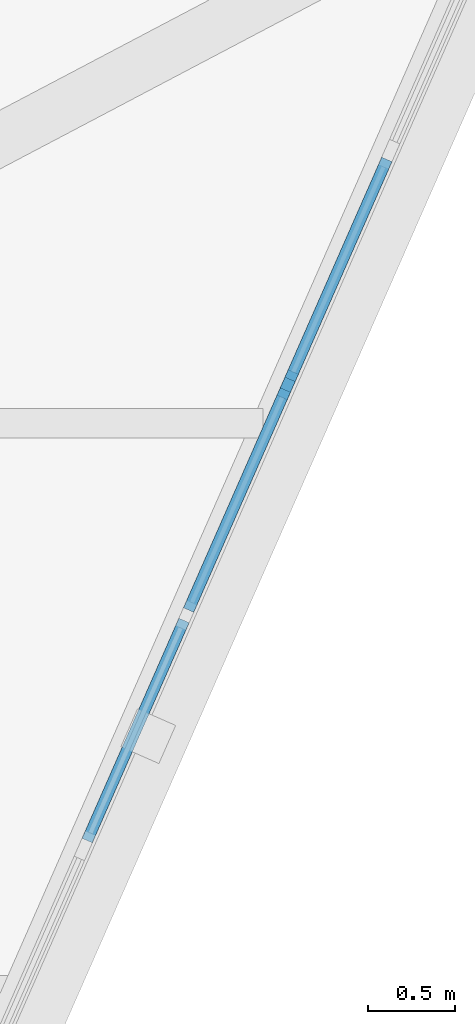
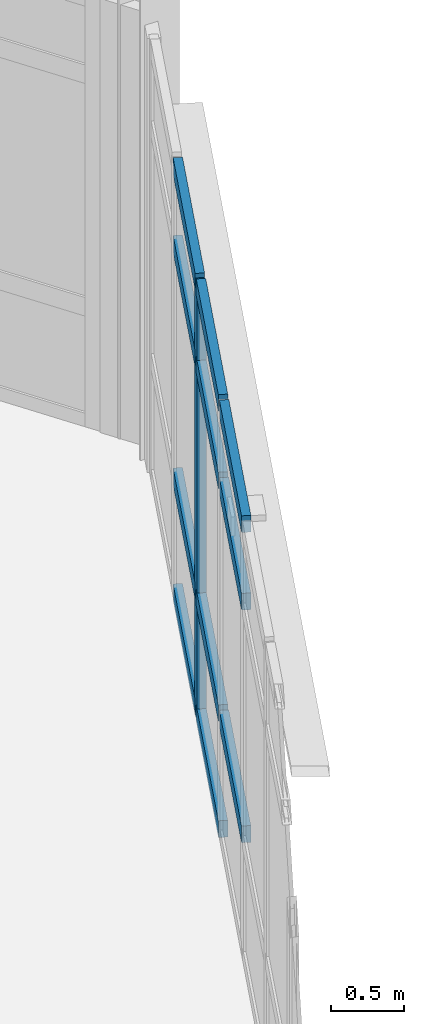
# One storey, part 71 of 134: 12 members, 1 element without a shape of its own.
"""IFC4 building model written with IfcOpenShell, lengths in metres."""

from ifc_helpers import new_model, si_unit, direction, frame, origin, origin_2d, place, context, subcontext, project, spatial, rectangle, extrude, material, material_profile, profile_set, type_object, element, aggregate, save


model = new_model("IFC4")

# Units and contexts
model_context = context("Model", 3, precision=1e-05, world=origin(), true_north=direction((0.0, 1.0)))
body_context = subcontext(model_context, "Body", "Model", "MODEL_VIEW")
ifc_project = project(units=[si_unit("LENGTHUNIT", "METRE"), si_unit("AREAUNIT", "SQUARE_METRE"), si_unit("VOLUMEUNIT", "CUBIC_METRE"), si_unit("PLANEANGLEUNIT", "RADIAN"), si_unit("MASSUNIT", "GRAM", prefix="KILO")], contexts=[model_context])

# Site, building, storey
site_placement = place(None, origin())
site = spatial("IfcSite", under=ifc_project, at=site_placement, CompositionType="ELEMENT")
building_placement = place(site_placement, origin())
building = spatial("IfcBuilding", under=site, at=building_placement, Name="Tameran Prism Museum", CompositionType="ELEMENT")
storey_placement = place(building_placement, frame((0.0, 0.0, 5.39990234375)))
storey = spatial("IfcBuildingStorey", under=building, at=storey_placement, Name="L01", CompositionType="ELEMENT", Elevation=5.39990234375)

# Curtain wall, members
ifc_material_1 = material(Name="Anodised Aluminium 6063-T6 and Cyclone Solar Glass", Category="aluminium")
curtain_wall_type = type_object("IfcCurtainWallType", Name="CW-FAC-1016x362", PredefinedType="USERDEFINED", material=ifc_material_1)
curtain_wall_placement = place(storey_placement, origin())
curtain_wall = element("IfcCurtainWall", 1, at=curtain_wall_placement, inside=storey, type_object=curtain_wall_type, Name="Unitised Curtain Wall CW-095", ObjectType="UNITISED CURTAIN WALL", PredefinedType="USERDEFINED")
ifc_material_2 = material(Name="Anodised Aluminium Alloy 6063-T6", Category="aluminium")
ifc_material_profile_1 = material_profile(ifc_material_2, rectangle(XDim=0.06494140625, YDim=0.159912109375, at=origin_2d()))
ifc_profile_set_1 = profile_set([ifc_material_profile_1])
member_type_1 = type_object("IfcMemberType", Name="CW-MUL-A", PredefinedType="MULLION", material=ifc_profile_set_1)
member_1_placement = place(storey_placement, frame((165.08935546875, 31.021484375, 0.0), z_axis=(0.0, 0.0, 1.0), x_axis=(0.915322284668, -0.402722131488, 0.0)))
member_1 = element("IfcMember", 2, at=member_1_placement, type_object=member_type_1, Name="CW-095 mullion 3", PredefinedType="MULLION", context=body_context, shape_type="SweptSolid", body=[
    extrude(rectangle(XDim=0.06494140625, YDim=0.159912109375, at=origin_2d()), origin(), (0.0, 0.0, 1.0), 3.6201171875),
])
ifc_material_3 = material(Name="Anodised Aluminium Alloy 6063-T6", Category="aluminium")
ifc_material_profile_2 = material_profile(ifc_material_3, rectangle(XDim=0.06494140625, YDim=0.139892578125, at=origin_2d()))
ifc_profile_set_2 = profile_set([ifc_material_profile_2])
member_type_2 = type_object("IfcMemberType", Name="CW-TRN-A", PredefinedType="USERDEFINED", material=ifc_profile_set_2)
member_2_placement = place(storey_placement, frame((165.6611328125, 32.321044921875, 0.03271484375), z_axis=(-0.402821177577, -0.915278700121, 0.0), x_axis=(0.915278700121, -0.402821177577, 0.0)))
member_2 = element("IfcMember", 3, at=member_2_placement, type_object=member_type_2, Name="CW-095 transom 2.1", ObjectType="TRANSOM", PredefinedType="USERDEFINED", context=body_context, shape_type="SweptSolid", body=[
    extrude(rectangle(XDim=0.06494140625, YDim=0.139892578125, at=origin_2d()), origin(), (0.0, 0.0, 1.0), 1.38720703125),
])
member_3_placement = place(storey_placement, frame((165.6611328125, 32.321044921875, 1.0), z_axis=(-0.402821177577, -0.915278700121, 0.0), x_axis=(0.915278700121, -0.402821177577, 0.0)))
member_3 = element("IfcMember", 4, at=member_3_placement, type_object=member_type_2, Name="CW-095 transom 2.2", ObjectType="TRANSOM", PredefinedType="USERDEFINED", context=body_context, shape_type="SweptSolid", body=[
    extrude(rectangle(XDim=0.06494140625, YDim=0.139892578125, at=origin_2d()), origin(), (0.0, 0.0, 1.0), 1.38720703125),
])
member_4_placement = place(storey_placement, frame((165.6611328125, 32.321044921875, 2.940185546875), z_axis=(-0.402821177577, -0.915278700121, 0.0), x_axis=(0.915278700121, -0.402821177577, 0.0)))
member_4 = element("IfcMember", 5, at=member_4_placement, type_object=member_type_2, Name="CW-095 transom 2.3", ObjectType="TRANSOM", PredefinedType="USERDEFINED", context=body_context, shape_type="SweptSolid", body=[
    extrude(rectangle(XDim=0.06494140625, YDim=0.139892578125, at=origin_2d()), origin(), (0.0, 0.0, 1.0), 1.38720703125),
])
member_5_placement = place(storey_placement, frame((165.6611328125, 32.321044921875, 3.587646484375), z_axis=(-0.402821177577, -0.915278700121, 0.0), x_axis=(0.915278700121, -0.402821177577, 0.0)))
member_5 = element("IfcMember", 6, at=member_5_placement, type_object=member_type_2, Name="CW-095 transom 2.4", ObjectType="TRANSOM", PredefinedType="USERDEFINED", context=body_context, shape_type="SweptSolid", body=[
    extrude(rectangle(XDim=0.06494140625, YDim=0.139892578125, at=origin_2d()), origin(), (0.0, 0.0, 1.0), 1.38720703125),
])
member_6_placement = place(storey_placement, frame((165.076171875, 30.99169921875, 0.03271484375), z_axis=(-0.402673736196, -0.915343576029, 0.0), x_axis=(0.915343576029, -0.402673736196, 0.0)))
member_6 = element("IfcMember", 7, at=member_6_placement, type_object=member_type_2, Name="CW-095 transom 3.1", ObjectType="TRANSOM", PredefinedType="USERDEFINED", context=body_context, shape_type="SweptSolid", body=[
    extrude(rectangle(XDim=0.06494140625, YDim=0.139892578125, at=origin_2d()), origin(), (0.0, 0.0, 1.0), 1.38720703125),
])
member_7_placement = place(storey_placement, frame((165.076171875, 30.99169921875, 1.0), z_axis=(-0.402673736196, -0.915343576029, 0.0), x_axis=(0.915343576029, -0.402673736196, 0.0)))
member_7 = element("IfcMember", 8, at=member_7_placement, type_object=member_type_2, Name="CW-095 transom 3.2", ObjectType="TRANSOM", PredefinedType="USERDEFINED", context=body_context, shape_type="SweptSolid", body=[
    extrude(rectangle(XDim=0.06494140625, YDim=0.139892578125, at=origin_2d()), origin(), (0.0, 0.0, 1.0), 1.38720703125),
])
member_8_placement = place(storey_placement, frame((165.076171875, 30.99169921875, 2.940185546875), z_axis=(-0.402673736196, -0.915343576029, 0.0), x_axis=(0.915343576029, -0.402673736196, 0.0)))
member_8 = element("IfcMember", 9, at=member_8_placement, type_object=member_type_2, Name="CW-095 transom 3.3", ObjectType="TRANSOM", PredefinedType="USERDEFINED", context=body_context, shape_type="SweptSolid", body=[
    extrude(rectangle(XDim=0.06494140625, YDim=0.139892578125, at=origin_2d()), origin(), (0.0, 0.0, 1.0), 1.38720703125),
])
member_9_placement = place(storey_placement, frame((165.076171875, 30.99169921875, 3.587646484375), z_axis=(-0.402673736196, -0.915343576029, 0.0), x_axis=(0.915343576029, -0.402673736196, 0.0)))
member_9 = element("IfcMember", 10, at=member_9_placement, type_object=member_type_2, Name="CW-095 transom 3.4", ObjectType="TRANSOM", PredefinedType="USERDEFINED", context=body_context, shape_type="SweptSolid", body=[
    extrude(rectangle(XDim=0.06494140625, YDim=0.139892578125, at=origin_2d()), origin(), (0.0, 0.0, 1.0), 1.38720703125),
])
member_10_placement = place(storey_placement, frame((164.491455078125, 29.662353515625, 1.0), z_axis=(-0.402821177577, -0.915278700121, 0.0), x_axis=(0.915278700121, -0.402821177577, 0.0)))
member_10 = element("IfcMember", 11, at=member_10_placement, type_object=member_type_2, Name="CW-095 transom 4.2", ObjectType="TRANSOM", PredefinedType="USERDEFINED", context=body_context, shape_type="SweptSolid", body=[
    extrude(rectangle(XDim=0.06494140625, YDim=0.139892578125, at=origin_2d()), origin(), (0.0, 0.0, 1.0), 1.38720703125),
])
member_11_placement = place(storey_placement, frame((164.491455078125, 29.662353515625, 2.940185546875), z_axis=(-0.402821177577, -0.915278700121, 0.0), x_axis=(0.915278700121, -0.402821177577, 0.0)))
member_11 = element("IfcMember", 12, at=member_11_placement, type_object=member_type_2, Name="CW-095 transom 4.3", ObjectType="TRANSOM", PredefinedType="USERDEFINED", context=body_context, shape_type="SweptSolid", body=[
    extrude(rectangle(XDim=0.06494140625, YDim=0.139892578125, at=origin_2d()), origin(), (0.0, 0.0, 1.0), 1.38720703125),
])
member_12_placement = place(storey_placement, frame((164.491455078125, 29.662353515625, 3.587646484375), z_axis=(-0.402821177577, -0.915278700121, 0.0), x_axis=(0.915278700121, -0.402821177577, 0.0)))
member_12 = element("IfcMember", 13, at=member_12_placement, type_object=member_type_2, Name="CW-095 transom 4.4", ObjectType="TRANSOM", PredefinedType="USERDEFINED", context=body_context, shape_type="SweptSolid", body=[
    extrude(rectangle(XDim=0.06494140625, YDim=0.139892578125, at=origin_2d()), origin(), (0.0, 0.0, 1.0), 1.38720703125),
])
aggregate(curtain_wall, [member_1, member_2, member_3, member_4, member_5, member_6, member_7, member_8, member_9, member_10, member_11, member_12])

save(model, "model.ifc")
